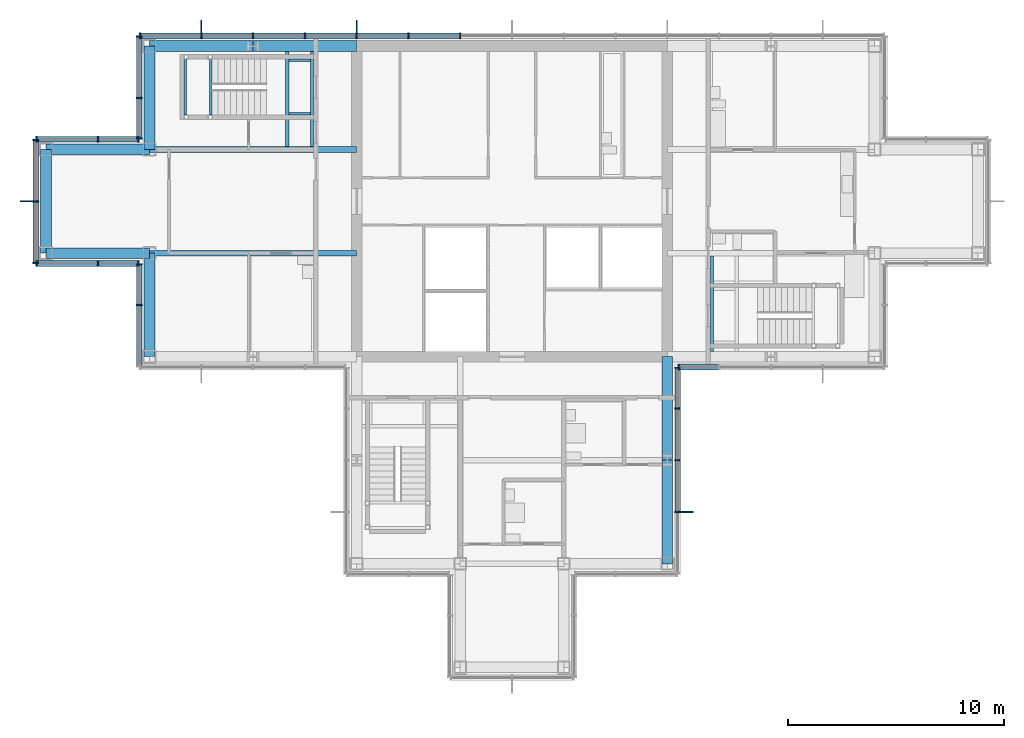
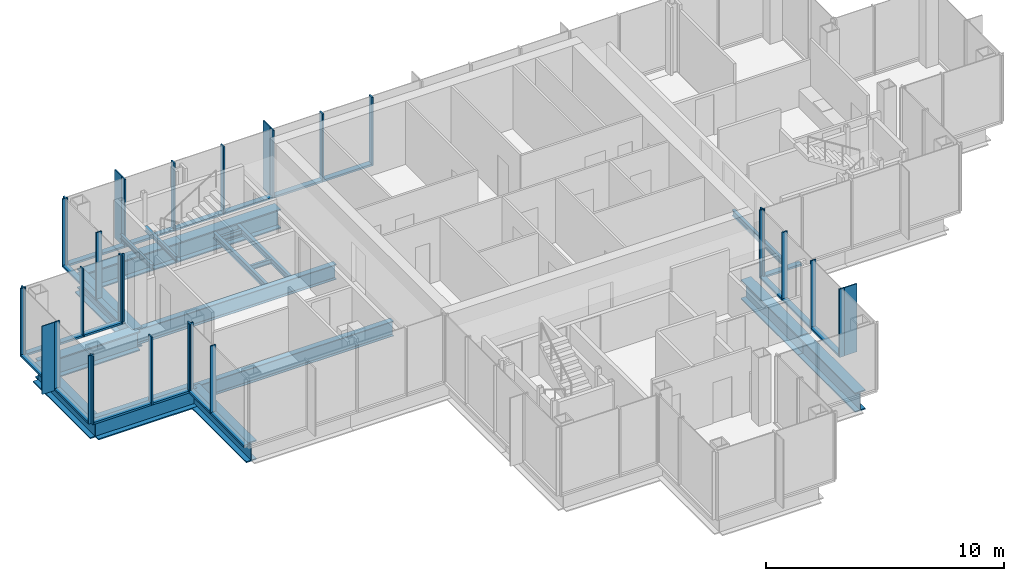
# One storey, part 6 of 15: 50 members, 18 beams, 8 elements without a shape of their own.
"""IFC4 building model written with IfcOpenShell, lengths in metres."""

from ifc_helpers import new_model, si_unit, direction, frame, origin, origin_2d, place, context, subcontext, project, spatial, rectangle, i_section, extrude, material, material_profile, profile_set, type_object, element, aggregate, save


model = new_model("IFC4")

# Units and contexts
model_context = context("Model", 3, precision=1e-05, world=origin(), true_north=direction((0.0, 1.0)))
body_context = subcontext(model_context, "Body", "Model", "MODEL_VIEW")
ifc_project = project(units=[si_unit("LENGTHUNIT", "METRE"), si_unit("AREAUNIT", "SQUARE_METRE"), si_unit("VOLUMEUNIT", "CUBIC_METRE"), si_unit("PLANEANGLEUNIT", "RADIAN"), si_unit("MASSUNIT", "GRAM", prefix="KILO")], contexts=[model_context])

# Site, building, storey
site_placement = place(None, origin())
site = spatial("IfcSite", under=ifc_project, at=site_placement, CompositionType="ELEMENT")
building_placement = place(site_placement, origin())
building = spatial("IfcBuilding", under=site, at=building_placement, Name="Kvirike Care Tower", CompositionType="ELEMENT")
storey_placement = place(building_placement, frame((0.0, 0.0, 240.0)))
storey = spatial("IfcBuildingStorey", under=building, at=storey_placement, Name="L66", CompositionType="ELEMENT", Elevation=240.0)

# Curtain wall, members
ifc_material_1 = material(Name="Anodised aluminium stick system", Category="aluminium")
curtain_wall_type = type_object("IfcCurtainWallType", Name="CW-D STICK CURTAIN WALL", PredefinedType="NOTDEFINED", material=ifc_material_1)
curtain_wall_1_placement = place(storey_placement, origin())
curtain_wall_1 = element("IfcCurtainWall", 1, at=curtain_wall_1_placement, inside=storey, type_object=curtain_wall_type, Name="Curtain wall L66 face 7", PredefinedType="NOTDEFINED")
ifc_material_2 = material(Name="Bronze anodised aluminium fin", Category="aluminium")
ifc_material_profile_1 = material_profile(ifc_material_2, rectangle(XDim=0.050048828125, YDim=0.60009765625, at=origin_2d()), Name="BRONZE FIN 600")
ifc_profile_set_1 = profile_set([ifc_material_profile_1], Name="Bronze anodised aluminium fin")
member_type_1 = type_object("IfcMemberType", Name="BRONZE FIN 600", PredefinedType="USERDEFINED", material=ifc_profile_set_1)
member_1_placement = place(storey_placement, frame((14.39990234375, 44.110107421875, 0.0), z_axis=(0.0, 0.0, 1.0), x_axis=(-1.0, 0.0, 0.0)))
member_1 = element("IfcMember", 2, at=member_1_placement, type_object=member_type_1, Name="Bronze fin L66 face 7.11", ObjectType="FIN", PredefinedType="USERDEFINED", context=body_context, shape_type="SweptSolid", body=[
    extrude(rectangle(XDim=0.050048828125, YDim=0.60009765625, at=origin_2d()), origin(), (0.0, 0.0, 1.0), 3.5),
])
member_2_placement = place(storey_placement, frame((7.199951171875, 44.110107421875, 0.0), z_axis=(0.0, 0.0, 1.0), x_axis=(-1.0, 0.0, 0.0)))
member_2 = element("IfcMember", 3, at=member_2_placement, type_object=member_type_1, Name="Bronze fin L66 face 7.14", ObjectType="FIN", PredefinedType="USERDEFINED", context=body_context, shape_type="SweptSolid", body=[
    extrude(rectangle(XDim=0.050048828125, YDim=0.60009765625, at=origin_2d()), origin(), (0.0, 0.0, 1.0), 3.5),
])

# Curtain wall, member
curtain_wall_2_placement = place(storey_placement, origin())
curtain_wall_2 = element("IfcCurtainWall", 4, at=curtain_wall_2_placement, inside=storey, type_object=curtain_wall_type, Name="Curtain wall L66 face 10", PredefinedType="NOTDEFINED")
member_3_placement = place(storey_placement, frame((-0.909912109375, 36.0, 0.0), z_axis=(0.0, 0.0, 1.0), x_axis=(0.0, -1.0, 0.0)))
member_3 = element("IfcMember", 5, at=member_3_placement, type_object=member_type_1, Name="Bronze fin L66 face 10.2", ObjectType="FIN", PredefinedType="USERDEFINED", context=body_context, shape_type="SweptSolid", body=[
    extrude(rectangle(XDim=0.050048828125, YDim=0.60009765625, at=origin_2d()), origin(), (0.0, 0.0, 1.0), 3.5),
])

curtain_wall_3_placement = place(storey_placement, origin())
curtain_wall_3 = element("IfcCurtainWall", 6, at=curtain_wall_3_placement, inside=storey, type_object=curtain_wall_type, Name="Curtain wall L66 face 20", PredefinedType="NOTDEFINED")
member_4_placement = place(storey_placement, frame((29.7099609375, 21.60009765625, 0.0), z_axis=(0.0, 0.0, 1.0), x_axis=(0.0, 1.0, 0.0)))
member_4 = element("IfcMember", 7, at=member_4_placement, type_object=member_type_1, Name="Bronze fin L66 face 20.2", ObjectType="FIN", PredefinedType="USERDEFINED", context=body_context, shape_type="SweptSolid", body=[
    extrude(rectangle(XDim=0.050048828125, YDim=0.60009765625, at=origin_2d()), origin(), (0.0, 0.0, 1.0), 3.5),
])

curtain_wall_4_placement = place(storey_placement, origin())
curtain_wall_4 = element("IfcCurtainWall", 8, at=curtain_wall_4_placement, inside=storey, type_object=curtain_wall_type, Name="Curtain wall L66 face 1", PredefinedType="NOTDEFINED")
ifc_material_3 = material(Name="Bronze anodised aluminium mullion", Category="aluminium")
ifc_material_profile_2 = material_profile(ifc_material_3, rectangle(XDim=0.06494140625, YDim=0.260009765625, at=origin_2d()), Name="CW-D MULLION 65x260")
ifc_profile_set_2 = profile_set([ifc_material_profile_2], Name="Bronze anodised aluminium mullion")
member_type_2 = type_object("IfcMemberType", Name="CW-D MULLION 65x260", PredefinedType="MULLION", material=ifc_profile_set_2)
member_5_placement = place(storey_placement, frame((29.3125, 28.320068359375, 0.0), z_axis=(0.0, 0.0, 1.0), x_axis=(1.0, 0.0, 0.0)))
member_5 = element("IfcMember", 9, at=member_5_placement, type_object=member_type_2, Name="CW-D mullion L66 face 1.1", PredefinedType="MULLION", context=body_context, shape_type="SweptSolid", body=[
    extrude(rectangle(XDim=0.06494140625, YDim=0.260009765625, at=origin_2d()), origin(), (0.0, 0.0, 1.0), 3.5),
])

# Member
member_6_placement = place(storey_placement, frame((19.199951171875, 43.679931640625, 0.0), z_axis=(0.0, 0.0, 1.0), x_axis=(-1.0, 0.0, 0.0)))
member_6 = element("IfcMember", 10, at=member_6_placement, type_object=member_type_2, Name="CW-D mullion L66 face 7.9", PredefinedType="MULLION", context=body_context, shape_type="SweptSolid", body=[
    extrude(rectangle(XDim=0.06494140625, YDim=0.260009765625, at=origin_2d()), origin(), (0.0, 0.0, 1.0), 3.5),
])

member_7_placement = place(storey_placement, frame((16.800048828125, 43.679931640625, 0.0), z_axis=(0.0, 0.0, 1.0), x_axis=(-1.0, 0.0, 0.0)))
member_7 = element("IfcMember", 11, at=member_7_placement, type_object=member_type_2, Name="CW-D mullion L66 face 7.10", PredefinedType="MULLION", context=body_context, shape_type="SweptSolid", body=[
    extrude(rectangle(XDim=0.06494140625, YDim=0.260009765625, at=origin_2d()), origin(), (0.0, 0.0, 1.0), 3.5),
])

member_8_placement = place(storey_placement, frame((14.39990234375, 43.679931640625, 0.0), z_axis=(0.0, 0.0, 1.0), x_axis=(-1.0, 0.0, 0.0)))
member_8 = element("IfcMember", 12, at=member_8_placement, type_object=member_type_2, Name="CW-D mullion L66 face 7.11", PredefinedType="MULLION", context=body_context, shape_type="SweptSolid", body=[
    extrude(rectangle(XDim=0.06494140625, YDim=0.260009765625, at=origin_2d()), origin(), (0.0, 0.0, 1.0), 3.5),
])

member_9_placement = place(storey_placement, frame((12.0, 43.679931640625, 0.0), z_axis=(0.0, 0.0, 1.0), x_axis=(-1.0, 0.0, 0.0)))
member_9 = element("IfcMember", 13, at=member_9_placement, type_object=member_type_2, Name="CW-D mullion L66 face 7.12", PredefinedType="MULLION", context=body_context, shape_type="SweptSolid", body=[
    extrude(rectangle(XDim=0.06494140625, YDim=0.260009765625, at=origin_2d()), origin(), (0.0, 0.0, 1.0), 3.5),
])

member_10_placement = place(storey_placement, frame((9.60009765625, 43.679931640625, 0.0), z_axis=(0.0, 0.0, 1.0), x_axis=(-1.0, 0.0, 0.0)))
member_10 = element("IfcMember", 14, at=member_10_placement, type_object=member_type_2, Name="CW-D mullion L66 face 7.13", PredefinedType="MULLION", context=body_context, shape_type="SweptSolid", body=[
    extrude(rectangle(XDim=0.06494140625, YDim=0.260009765625, at=origin_2d()), origin(), (0.0, 0.0, 1.0), 3.5),
])

member_11_placement = place(storey_placement, frame((7.199951171875, 43.679931640625, 0.0), z_axis=(0.0, 0.0, 1.0), x_axis=(-1.0, 0.0, 0.0)))
member_11 = element("IfcMember", 15, at=member_11_placement, type_object=member_type_2, Name="CW-D mullion L66 face 7.14", PredefinedType="MULLION", context=body_context, shape_type="SweptSolid", body=[
    extrude(rectangle(XDim=0.06494140625, YDim=0.260009765625, at=origin_2d()), origin(), (0.0, 0.0, 1.0), 3.5),
])

member_12_placement = place(storey_placement, frame((4.3525390625, 43.679931640625, 0.0), z_axis=(0.0, 0.0, 1.0), x_axis=(-1.0, 0.0, 0.0)))
member_12 = element("IfcMember", 16, at=member_12_placement, type_object=member_type_2, Name="CW-D mullion L66 face 7.15", PredefinedType="MULLION", context=body_context, shape_type="SweptSolid", body=[
    extrude(rectangle(XDim=0.06494140625, YDim=0.260009765625, at=origin_2d()), origin(), (0.0, 0.0, 1.0), 3.5),
])

# Curtain wall, members
curtain_wall_5_placement = place(storey_placement, origin())
curtain_wall_5 = element("IfcCurtainWall", 17, at=curtain_wall_5_placement, inside=storey, type_object=curtain_wall_type, Name="Curtain wall L66 face 8", PredefinedType="NOTDEFINED")
member_13_placement = place(storey_placement, frame((4.320068359375, 43.6474609375, 0.0), z_axis=(0.0, 0.0, 1.0), x_axis=(0.0, -1.0, 0.0)))
member_13 = element("IfcMember", 18, at=member_13_placement, type_object=member_type_2, Name="CW-D mullion L66 face 8.1", PredefinedType="MULLION", context=body_context, shape_type="SweptSolid", body=[
    extrude(rectangle(XDim=0.06494140625, YDim=0.260009765625, at=origin_2d()), origin(), (0.0, 0.0, 1.0), 3.5),
])
member_14_placement = place(storey_placement, frame((4.320068359375, 40.800048828125, 0.0), z_axis=(0.0, 0.0, 1.0), x_axis=(0.0, -1.0, 0.0)))
member_14 = element("IfcMember", 19, at=member_14_placement, type_object=member_type_2, Name="CW-D mullion L66 face 8.2", PredefinedType="MULLION", context=body_context, shape_type="SweptSolid", body=[
    extrude(rectangle(XDim=0.06494140625, YDim=0.260009765625, at=origin_2d()), origin(), (0.0, 0.0, 1.0), 3.5),
])
member_15_placement = place(storey_placement, frame((4.320068359375, 38.91259765625, 0.0), z_axis=(0.0, 0.0, 1.0), x_axis=(0.0, -1.0, 0.0)))
member_15 = element("IfcMember", 20, at=member_15_placement, type_object=member_type_2, Name="CW-D mullion L66 face 8.3", PredefinedType="MULLION", context=body_context, shape_type="SweptSolid", body=[
    extrude(rectangle(XDim=0.06494140625, YDim=0.260009765625, at=origin_2d()), origin(), (0.0, 0.0, 1.0), 3.5),
])

curtain_wall_6_placement = place(storey_placement, origin())
curtain_wall_6 = element("IfcCurtainWall", 21, at=curtain_wall_6_placement, inside=storey, type_object=curtain_wall_type, Name="Curtain wall L66 face 9", PredefinedType="NOTDEFINED")
member_16_placement = place(storey_placement, frame((4.28759765625, 38.8798828125, 0.0), z_axis=(0.0, 0.0, 1.0), x_axis=(-1.0, 0.0, 0.0)))
member_16 = element("IfcMember", 22, at=member_16_placement, type_object=member_type_2, Name="CW-D mullion L66 face 9.1", PredefinedType="MULLION", context=body_context, shape_type="SweptSolid", body=[
    extrude(rectangle(XDim=0.06494140625, YDim=0.260009765625, at=origin_2d()), origin(), (0.0, 0.0, 1.0), 3.5),
])
member_17_placement = place(storey_placement, frame((2.39990234375, 38.8798828125, 0.0), z_axis=(0.0, 0.0, 1.0), x_axis=(-1.0, 0.0, 0.0)))
member_17 = element("IfcMember", 23, at=member_17_placement, type_object=member_type_2, Name="CW-D mullion L66 face 9.2", PredefinedType="MULLION", context=body_context, shape_type="SweptSolid", body=[
    extrude(rectangle(XDim=0.06494140625, YDim=0.260009765625, at=origin_2d()), origin(), (0.0, 0.0, 1.0), 3.5),
])
member_18_placement = place(storey_placement, frame((-0.447509765625, 38.8798828125, 0.0), z_axis=(0.0, 0.0, 1.0), x_axis=(-1.0, 0.0, 0.0)))
member_18 = element("IfcMember", 24, at=member_18_placement, type_object=member_type_2, Name="CW-D mullion L66 face 9.3", PredefinedType="MULLION", context=body_context, shape_type="SweptSolid", body=[
    extrude(rectangle(XDim=0.06494140625, YDim=0.260009765625, at=origin_2d()), origin(), (0.0, 0.0, 1.0), 3.5),
])

# Member
member_19_placement = place(storey_placement, frame((-0.47998046875, 38.847412109375, 0.0), z_axis=(0.0, 0.0, 1.0), x_axis=(0.0, -1.0, 0.0)))
member_19 = element("IfcMember", 25, at=member_19_placement, type_object=member_type_2, Name="CW-D mullion L66 face 10.1", PredefinedType="MULLION", context=body_context, shape_type="SweptSolid", body=[
    extrude(rectangle(XDim=0.06494140625, YDim=0.260009765625, at=origin_2d()), origin(), (0.0, 0.0, 1.0), 3.5),
])

member_20_placement = place(storey_placement, frame((-0.47998046875, 36.0, 0.0), z_axis=(0.0, 0.0, 1.0), x_axis=(0.0, -1.0, 0.0)))
member_20 = element("IfcMember", 26, at=member_20_placement, type_object=member_type_2, Name="CW-D mullion L66 face 10.2", PredefinedType="MULLION", context=body_context, shape_type="SweptSolid", body=[
    extrude(rectangle(XDim=0.06494140625, YDim=0.260009765625, at=origin_2d()), origin(), (0.0, 0.0, 1.0), 3.5),
])

member_21_placement = place(storey_placement, frame((-0.47998046875, 33.152587890625, 0.0), z_axis=(0.0, 0.0, 1.0), x_axis=(0.0, -1.0, 0.0)))
member_21 = element("IfcMember", 27, at=member_21_placement, type_object=member_type_2, Name="CW-D mullion L66 face 10.3", PredefinedType="MULLION", context=body_context, shape_type="SweptSolid", body=[
    extrude(rectangle(XDim=0.06494140625, YDim=0.260009765625, at=origin_2d()), origin(), (0.0, 0.0, 1.0), 3.5),
])

# Curtain wall, members
curtain_wall_7_placement = place(storey_placement, origin())
curtain_wall_7 = element("IfcCurtainWall", 28, at=curtain_wall_7_placement, inside=storey, type_object=curtain_wall_type, Name="Curtain wall L66 face 11", PredefinedType="NOTDEFINED")
member_22_placement = place(storey_placement, frame((-0.447509765625, 33.1201171875, 0.0), z_axis=(0.0, 0.0, 1.0), x_axis=(1.0, 0.0, 0.0)))
member_22 = element("IfcMember", 29, at=member_22_placement, type_object=member_type_2, Name="CW-D mullion L66 face 11.1", PredefinedType="MULLION", context=body_context, shape_type="SweptSolid", body=[
    extrude(rectangle(XDim=0.06494140625, YDim=0.260009765625, at=origin_2d()), origin(), (0.0, 0.0, 1.0), 3.5),
])
member_23_placement = place(storey_placement, frame((2.39990234375, 33.1201171875, 0.0), z_axis=(0.0, 0.0, 1.0), x_axis=(1.0, 0.0, 0.0)))
member_23 = element("IfcMember", 30, at=member_23_placement, type_object=member_type_2, Name="CW-D mullion L66 face 11.2", PredefinedType="MULLION", context=body_context, shape_type="SweptSolid", body=[
    extrude(rectangle(XDim=0.06494140625, YDim=0.260009765625, at=origin_2d()), origin(), (0.0, 0.0, 1.0), 3.5),
])
member_24_placement = place(storey_placement, frame((4.28759765625, 33.1201171875, 0.0), z_axis=(0.0, 0.0, 1.0), x_axis=(1.0, 0.0, 0.0)))
member_24 = element("IfcMember", 31, at=member_24_placement, type_object=member_type_2, Name="CW-D mullion L66 face 11.3", PredefinedType="MULLION", context=body_context, shape_type="SweptSolid", body=[
    extrude(rectangle(XDim=0.06494140625, YDim=0.260009765625, at=origin_2d()), origin(), (0.0, 0.0, 1.0), 3.5),
])

curtain_wall_8_placement = place(storey_placement, origin())
curtain_wall_8 = element("IfcCurtainWall", 32, at=curtain_wall_8_placement, inside=storey, type_object=curtain_wall_type, Name="Curtain wall L66 face 12", PredefinedType="NOTDEFINED")
member_25_placement = place(storey_placement, frame((4.320068359375, 33.08740234375, 0.0), z_axis=(0.0, 0.0, 1.0), x_axis=(0.0, -1.0, 0.0)))
member_25 = element("IfcMember", 33, at=member_25_placement, type_object=member_type_2, Name="CW-D mullion L66 face 12.1", PredefinedType="MULLION", context=body_context, shape_type="SweptSolid", body=[
    extrude(rectangle(XDim=0.06494140625, YDim=0.260009765625, at=origin_2d()), origin(), (0.0, 0.0, 1.0), 3.5),
])
member_26_placement = place(storey_placement, frame((4.320068359375, 31.199951171875, 0.0), z_axis=(0.0, 0.0, 1.0), x_axis=(0.0, -1.0, 0.0)))
member_26 = element("IfcMember", 34, at=member_26_placement, type_object=member_type_2, Name="CW-D mullion L66 face 12.2", PredefinedType="MULLION", context=body_context, shape_type="SweptSolid", body=[
    extrude(rectangle(XDim=0.06494140625, YDim=0.260009765625, at=origin_2d()), origin(), (0.0, 0.0, 1.0), 3.5),
])

# Member
member_27_placement = place(storey_placement, frame((29.280029296875, 21.60009765625, 0.0), z_axis=(0.0, 0.0, 1.0), x_axis=(0.0, 1.0, 0.0)))
member_27 = element("IfcMember", 35, at=member_27_placement, type_object=member_type_2, Name="CW-D mullion L66 face 20.2", PredefinedType="MULLION", context=body_context, shape_type="SweptSolid", body=[
    extrude(rectangle(XDim=0.06494140625, YDim=0.260009765625, at=origin_2d()), origin(), (0.0, 0.0, 1.0), 3.5),
])

member_28_placement = place(storey_placement, frame((29.280029296875, 24.0, 0.0), z_axis=(0.0, 0.0, 1.0), x_axis=(0.0, 1.0, 0.0)))
member_28 = element("IfcMember", 36, at=member_28_placement, type_object=member_type_2, Name="CW-D mullion L66 face 20.3", PredefinedType="MULLION", context=body_context, shape_type="SweptSolid", body=[
    extrude(rectangle(XDim=0.06494140625, YDim=0.260009765625, at=origin_2d()), origin(), (0.0, 0.0, 1.0), 3.5),
])

member_29_placement = place(storey_placement, frame((29.280029296875, 26.39990234375, 0.0), z_axis=(0.0, 0.0, 1.0), x_axis=(0.0, 1.0, 0.0)))
member_29 = element("IfcMember", 37, at=member_29_placement, type_object=member_type_2, Name="CW-D mullion L66 face 20.4", PredefinedType="MULLION", context=body_context, shape_type="SweptSolid", body=[
    extrude(rectangle(XDim=0.06494140625, YDim=0.260009765625, at=origin_2d()), origin(), (0.0, 0.0, 1.0), 3.5),
])

member_30_placement = place(storey_placement, frame((29.280029296875, 28.28759765625, 0.0), z_axis=(0.0, 0.0, 1.0), x_axis=(0.0, 1.0, 0.0)))
member_30 = element("IfcMember", 38, at=member_30_placement, type_object=member_type_2, Name="CW-D mullion L66 face 20.5", PredefinedType="MULLION", context=body_context, shape_type="SweptSolid", body=[
    extrude(rectangle(XDim=0.06494140625, YDim=0.260009765625, at=origin_2d()), origin(), (0.0, 0.0, 1.0), 3.5),
])

ifc_material_4 = material(Name="Bronze anodised aluminium transom", Category="aluminium")
ifc_material_profile_3 = material_profile(ifc_material_4, rectangle(XDim=0.260009765625, YDim=0.10009765625, at=origin_2d()), Name="CW-D TRANSOM 260x100")
ifc_profile_set_3 = profile_set([ifc_material_profile_3], Name="Bronze anodised aluminium transom")
member_type_3 = type_object("IfcMemberType", Name="CW-D TRANSOM 260x100", PredefinedType="USERDEFINED", material=ifc_profile_set_3)
member_31_placement = place(storey_placement, frame((29.344970703125, 28.320068359375, 0.050048828125), z_axis=(1.0, 0.0, 0.0), x_axis=(0.0, 1.0, 0.0)))
member_31 = element("IfcMember", 39, at=member_31_placement, type_object=member_type_3, Name="CW-D sill transom L66 face 1.1", ObjectType="TRANSOM", PredefinedType="USERDEFINED", context=body_context, shape_type="SweptSolid", body=[
    extrude(rectangle(XDim=0.260009765625, YDim=0.10009765625, at=origin_2d()), origin(), (0.0, 0.0, 1.0), 1.822509765625),
])

aggregate(curtain_wall_4, [member_5, member_31])

member_32_placement = place(storey_placement, frame((19.16748046875, 43.679931640625, 0.050048828125), z_axis=(-1.0, 0.0, 0.0), x_axis=(0.0, -1.0, 0.0)))
member_32 = element("IfcMember", 40, at=member_32_placement, type_object=member_type_3, Name="CW-D sill transom L66 face 7.9", ObjectType="TRANSOM", PredefinedType="USERDEFINED", context=body_context, shape_type="SweptSolid", body=[
    extrude(rectangle(XDim=0.260009765625, YDim=0.10009765625, at=origin_2d()), origin(), (0.0, 0.0, 1.0), 2.3349609375),
])

member_33_placement = place(storey_placement, frame((16.767578125, 43.679931640625, 0.050048828125), z_axis=(-1.0, 0.0, 0.0), x_axis=(0.0, -1.0, 0.0)))
member_33 = element("IfcMember", 41, at=member_33_placement, type_object=member_type_3, Name="CW-D sill transom L66 face 7.10", ObjectType="TRANSOM", PredefinedType="USERDEFINED", context=body_context, shape_type="SweptSolid", body=[
    extrude(rectangle(XDim=0.260009765625, YDim=0.10009765625, at=origin_2d()), origin(), (0.0, 0.0, 1.0), 2.3349609375),
])

member_34_placement = place(storey_placement, frame((14.367431640625, 43.679931640625, 0.050048828125), z_axis=(-1.0, 0.0, 0.0), x_axis=(0.0, -1.0, 0.0)))
member_34 = element("IfcMember", 42, at=member_34_placement, type_object=member_type_3, Name="CW-D sill transom L66 face 7.11", ObjectType="TRANSOM", PredefinedType="USERDEFINED", context=body_context, shape_type="SweptSolid", body=[
    extrude(rectangle(XDim=0.260009765625, YDim=0.10009765625, at=origin_2d()), origin(), (0.0, 0.0, 1.0), 2.3349609375),
])

member_35_placement = place(storey_placement, frame((11.967529296875, 43.679931640625, 0.050048828125), z_axis=(-1.0, 0.0, 0.0), x_axis=(0.0, -1.0, 0.0)))
member_35 = element("IfcMember", 43, at=member_35_placement, type_object=member_type_3, Name="CW-D sill transom L66 face 7.12", ObjectType="TRANSOM", PredefinedType="USERDEFINED", context=body_context, shape_type="SweptSolid", body=[
    extrude(rectangle(XDim=0.260009765625, YDim=0.10009765625, at=origin_2d()), origin(), (0.0, 0.0, 1.0), 2.3349609375),
])

member_36_placement = place(storey_placement, frame((9.5673828125, 43.679931640625, 0.050048828125), z_axis=(-1.0, 0.0, 0.0), x_axis=(0.0, -1.0, 0.0)))
member_36 = element("IfcMember", 44, at=member_36_placement, type_object=member_type_3, Name="CW-D sill transom L66 face 7.13", ObjectType="TRANSOM", PredefinedType="USERDEFINED", context=body_context, shape_type="SweptSolid", body=[
    extrude(rectangle(XDim=0.260009765625, YDim=0.10009765625, at=origin_2d()), origin(), (0.0, 0.0, 1.0), 2.3349609375),
])

member_37_placement = place(storey_placement, frame((7.16748046875, 43.679931640625, 0.050048828125), z_axis=(-1.0, 0.0, 0.0), x_axis=(0.0, -1.0, 0.0)))
member_37 = element("IfcMember", 45, at=member_37_placement, type_object=member_type_3, Name="CW-D sill transom L66 face 7.14", ObjectType="TRANSOM", PredefinedType="USERDEFINED", context=body_context, shape_type="SweptSolid", body=[
    extrude(rectangle(XDim=0.260009765625, YDim=0.10009765625, at=origin_2d()), origin(), (0.0, 0.0, 1.0), 2.782470703125),
])

aggregate(curtain_wall_1, [member_6, member_7, member_8, member_1, member_9, member_10, member_11, member_2, member_12, member_32, member_33, member_34, member_35, member_36, member_37])

member_38_placement = place(storey_placement, frame((4.320068359375, 43.614990234375, 0.050048828125), z_axis=(0.0, -1.0, 0.0), x_axis=(1.0, 0.0, 0.0)))
member_38 = element("IfcMember", 46, at=member_38_placement, type_object=member_type_3, Name="CW-D sill transom L66 face 8.1", ObjectType="TRANSOM", PredefinedType="USERDEFINED", context=body_context, shape_type="SweptSolid", body=[
    extrude(rectangle(XDim=0.260009765625, YDim=0.10009765625, at=origin_2d()), origin(), (0.0, 0.0, 1.0), 2.782470703125),
])

member_39_placement = place(storey_placement, frame((4.320068359375, 40.767578125, 0.050048828125), z_axis=(0.0, -1.0, 0.0), x_axis=(1.0, 0.0, 0.0)))
member_39 = element("IfcMember", 47, at=member_39_placement, type_object=member_type_3, Name="CW-D sill transom L66 face 8.2", ObjectType="TRANSOM", PredefinedType="USERDEFINED", context=body_context, shape_type="SweptSolid", body=[
    extrude(rectangle(XDim=0.260009765625, YDim=0.10009765625, at=origin_2d()), origin(), (0.0, 0.0, 1.0), 1.822509765625),
])

aggregate(curtain_wall_5, [member_13, member_14, member_15, member_38, member_39])

member_40_placement = place(storey_placement, frame((4.2548828125, 38.8798828125, 0.050048828125), z_axis=(-1.0, 0.0, 0.0), x_axis=(0.0, -1.0, 0.0)))
member_40 = element("IfcMember", 48, at=member_40_placement, type_object=member_type_3, Name="CW-D sill transom L66 face 9.1", ObjectType="TRANSOM", PredefinedType="USERDEFINED", context=body_context, shape_type="SweptSolid", body=[
    extrude(rectangle(XDim=0.260009765625, YDim=0.10009765625, at=origin_2d()), origin(), (0.0, 0.0, 1.0), 1.822265625),
])

member_41_placement = place(storey_placement, frame((2.367431640625, 38.8798828125, 0.050048828125), z_axis=(-1.0, 0.0, 0.0), x_axis=(0.0, -1.0, 0.0)))
member_41 = element("IfcMember", 49, at=member_41_placement, type_object=member_type_3, Name="CW-D sill transom L66 face 9.2", ObjectType="TRANSOM", PredefinedType="USERDEFINED", context=body_context, shape_type="SweptSolid", body=[
    extrude(rectangle(XDim=0.260009765625, YDim=0.10009765625, at=origin_2d()), origin(), (0.0, 0.0, 1.0), 2.782470703125),
])

aggregate(curtain_wall_6, [member_16, member_17, member_18, member_40, member_41])

member_42_placement = place(storey_placement, frame((-0.47998046875, 38.81494140625, 0.050048828125), z_axis=(0.0, -1.0, 0.0), x_axis=(1.0, 0.0, 0.0)))
member_42 = element("IfcMember", 50, at=member_42_placement, type_object=member_type_3, Name="CW-D sill transom L66 face 10.1", ObjectType="TRANSOM", PredefinedType="USERDEFINED", context=body_context, shape_type="SweptSolid", body=[
    extrude(rectangle(XDim=0.260009765625, YDim=0.10009765625, at=origin_2d()), origin(), (0.0, 0.0, 1.0), 2.782470703125),
])

member_43_placement = place(storey_placement, frame((-0.47998046875, 35.967529296875, 0.050048828125), z_axis=(0.0, -1.0, 0.0), x_axis=(1.0, 0.0, 0.0)))
member_43 = element("IfcMember", 51, at=member_43_placement, type_object=member_type_3, Name="CW-D sill transom L66 face 10.2", ObjectType="TRANSOM", PredefinedType="USERDEFINED", context=body_context, shape_type="SweptSolid", body=[
    extrude(rectangle(XDim=0.260009765625, YDim=0.10009765625, at=origin_2d()), origin(), (0.0, 0.0, 1.0), 2.782470703125),
])

aggregate(curtain_wall_2, [member_19, member_20, member_3, member_21, member_42, member_43])

member_44_placement = place(storey_placement, frame((-0.4150390625, 33.1201171875, 0.050048828125), z_axis=(1.0, 0.0, 0.0), x_axis=(0.0, 1.0, 0.0)))
member_44 = element("IfcMember", 52, at=member_44_placement, type_object=member_type_3, Name="CW-D sill transom L66 face 11.1", ObjectType="TRANSOM", PredefinedType="USERDEFINED", context=body_context, shape_type="SweptSolid", body=[
    extrude(rectangle(XDim=0.260009765625, YDim=0.10009765625, at=origin_2d()), origin(), (0.0, 0.0, 1.0), 2.782470703125),
])

member_45_placement = place(storey_placement, frame((2.4326171875, 33.1201171875, 0.050048828125), z_axis=(1.0, 0.0, 0.0), x_axis=(0.0, 1.0, 0.0)))
member_45 = element("IfcMember", 53, at=member_45_placement, type_object=member_type_3, Name="CW-D sill transom L66 face 11.2", ObjectType="TRANSOM", PredefinedType="USERDEFINED", context=body_context, shape_type="SweptSolid", body=[
    extrude(rectangle(XDim=0.260009765625, YDim=0.10009765625, at=origin_2d()), origin(), (0.0, 0.0, 1.0), 1.822265625),
])

aggregate(curtain_wall_7, [member_22, member_23, member_24, member_44, member_45])

member_46_placement = place(storey_placement, frame((4.320068359375, 33.054931640625, 0.050048828125), z_axis=(0.0, -1.0, 0.0), x_axis=(1.0, 0.0, 0.0)))
member_46 = element("IfcMember", 54, at=member_46_placement, type_object=member_type_3, Name="CW-D sill transom L66 face 12.1", ObjectType="TRANSOM", PredefinedType="USERDEFINED", context=body_context, shape_type="SweptSolid", body=[
    extrude(rectangle(XDim=0.260009765625, YDim=0.10009765625, at=origin_2d()), origin(), (0.0, 0.0, 1.0), 1.822509765625),
])

member_47_placement = place(storey_placement, frame((4.320068359375, 31.16748046875, 0.050048828125), z_axis=(0.0, -1.0, 0.0), x_axis=(1.0, 0.0, 0.0)))
member_47 = element("IfcMember", 55, at=member_47_placement, type_object=member_type_3, Name="CW-D sill transom L66 face 12.2", ObjectType="TRANSOM", PredefinedType="USERDEFINED", context=body_context, shape_type="SweptSolid", body=[
    extrude(rectangle(XDim=0.260009765625, YDim=0.10009765625, at=origin_2d()), origin(), (0.0, 0.0, 1.0), 2.782470703125),
])

aggregate(curtain_wall_8, [member_25, member_26, member_46, member_47])

member_48_placement = place(storey_placement, frame((29.280029296875, 21.632568359375, 0.050048828125), z_axis=(0.0, 1.0, 0.0), x_axis=(-1.0, 0.0, 0.0)))
member_48 = element("IfcMember", 56, at=member_48_placement, type_object=member_type_3, Name="CW-D sill transom L66 face 20.2", ObjectType="TRANSOM", PredefinedType="USERDEFINED", context=body_context, shape_type="SweptSolid", body=[
    extrude(rectangle(XDim=0.260009765625, YDim=0.10009765625, at=origin_2d()), origin(), (0.0, 0.0, 1.0), 2.3349609375),
])

member_49_placement = place(storey_placement, frame((29.280029296875, 24.032470703125, 0.050048828125), z_axis=(0.0, 1.0, 0.0), x_axis=(-1.0, 0.0, 0.0)))
member_49 = element("IfcMember", 57, at=member_49_placement, type_object=member_type_3, Name="CW-D sill transom L66 face 20.3", ObjectType="TRANSOM", PredefinedType="USERDEFINED", context=body_context, shape_type="SweptSolid", body=[
    extrude(rectangle(XDim=0.260009765625, YDim=0.10009765625, at=origin_2d()), origin(), (0.0, 0.0, 1.0), 2.3349609375),
])

member_50_placement = place(storey_placement, frame((29.280029296875, 26.4326171875, 0.050048828125), z_axis=(0.0, 1.0, 0.0), x_axis=(-1.0, 0.0, 0.0)))
member_50 = element("IfcMember", 58, at=member_50_placement, type_object=member_type_3, Name="CW-D sill transom L66 face 20.4", ObjectType="TRANSOM", PredefinedType="USERDEFINED", context=body_context, shape_type="SweptSolid", body=[
    extrude(rectangle(XDim=0.260009765625, YDim=0.10009765625, at=origin_2d()), origin(), (0.0, 0.0, 1.0), 1.822265625),
])

aggregate(curtain_wall_3, [member_27, member_4, member_28, member_29, member_30, member_48, member_49, member_50])

# Beams
ifc_material_5 = material(Name="Steel S355", Category="steel")
ifc_material_profile_4 = material_profile(ifc_material_5, i_section(OverallWidth=0.26806640625, OverallDepth=0.77001953125, WebThickness=0.015625, FlangeThickness=0.025390625, FilletRadius=0.01708984375, at=origin_2d()), Name="IPE 750x196")
ifc_profile_set_4 = profile_set([ifc_material_profile_4], Name="Steel S355")
beam_type_1 = type_object("IfcBeamType", Name="FLOOR BEAM IPE 750x196", PredefinedType="BEAM", material=ifc_profile_set_4)
for number, where, z_axis, x_axis, name in (
    (59, (4.800048828125, 33.60009765625, -0.554931640625), (1.0, 0.0, 0.0), (0.0, 1.0, 0.0), "Floor Beam H4-H6 L66"),
    (60, (4.800048828125, 38.39990234375, -0.554931640625), (1.0, 0.0, 0.0), (0.0, 1.0, 0.0), "Floor Beam J4-J6 L66"),
):
    element("IfcBeam", number, at=place(storey_placement, frame(where, z_axis=z_axis, x_axis=x_axis)), inside=storey, type_object=beam_type_1, Name=name, PredefinedType="BEAM", context=body_context, shape_type="SweptSolid", body=[
        extrude(i_section(OverallWidth=0.26806640625, OverallDepth=0.77001953125, WebThickness=0.015625, FlangeThickness=0.025390625, FilletRadius=0.01708984375, at=origin_2d()), origin(), (0.0, 0.0, 1.0), 9.599853515625),
    ])
ifc_material_6 = material(Name="Steel S355", Category="steel")
ifc_material_profile_5 = material_profile(ifc_material_6, i_section(OverallWidth=0.5, OverallDepth=1.0, WebThickness=0.030029296875, FlangeThickness=0.06005859375, at=origin_2d()), Name="PG 1000x500x30x60")
ifc_profile_set_5 = profile_set([ifc_material_profile_5], Name="Steel S355")
beam_type_2 = type_object("IfcBeamType", Name="SPANDREL PG 1000x500x30x60", PredefinedType="SPANDREL", material=ifc_profile_set_5)
for number, where, z_axis, x_axis, name in (
    (61, (0.0, 33.60009765625, -0.669921875), (1.0, 0.0, 0.0), (0.0, 1.0, 0.0), "Spandrel H3-H4 L66"),
    (62, (0.0, 38.39990234375, -0.669921875), (1.0, 0.0, 0.0), (0.0, 1.0, 0.0), "Spandrel J3-J4 L66"),
    (63, (4.800048828125, 43.199951171875, -0.669921875), (1.0, 0.0, 0.0), (0.0, 1.0, 0.0), "Spandrel K4-K5 L66"),
):
    element("IfcBeam", number, at=place(storey_placement, frame(where, z_axis=z_axis, x_axis=x_axis)), inside=storey, type_object=beam_type_2, Name=name, PredefinedType="SPANDREL", context=body_context, shape_type="SweptSolid", body=[
        extrude(i_section(OverallWidth=0.5, OverallDepth=1.0, WebThickness=0.030029296875, FlangeThickness=0.06005859375, at=origin_2d()), origin(), (0.0, 0.0, 1.0), 4.800048828125),
    ])
for number, where, z_axis, x_axis, name in (
    (64, (9.60009765625, 43.199951171875, -0.669921875), (1.0, 0.0, 0.0), (0.0, 1.0, 0.0), "Spandrel K5-K6 L66"),
    (65, (0.0, 33.60009765625, -0.669921875), (0.0, 1.0, 0.0), (-1.0, 0.0, 0.0), "Spandrel H3-J3 L66"),
):
    element("IfcBeam", number, at=place(storey_placement, frame(where, z_axis=z_axis, x_axis=x_axis)), inside=storey, type_object=beam_type_2, Name=name, PredefinedType="SPANDREL", context=body_context, shape_type="SweptSolid", body=[
        extrude(i_section(OverallWidth=0.5, OverallDepth=1.0, WebThickness=0.030029296875, FlangeThickness=0.06005859375, at=origin_2d()), origin(), (0.0, 0.0, 1.0), 4.7998046875),
    ])
for number, where, z_axis, x_axis, name in (
    (66, (4.800048828125, 28.800048828125, -0.669921875), (0.0, 1.0, 0.0), (-1.0, 0.0, 0.0), "Spandrel G4-H4 L66"),
    (67, (4.800048828125, 38.39990234375, -0.669921875), (0.0, 1.0, 0.0), (-1.0, 0.0, 0.0), "Spandrel J4-K4 L66"),
    (68, (28.800048828125, 19.199951171875, -0.669921875), (0.0, 1.0, 0.0), (-1.0, 0.0, 0.0), "Spandrel E9-F9 L66"),
    (69, (28.800048828125, 24.0, -0.669921875), (0.0, 1.0, 0.0), (-1.0, 0.0, 0.0), "Spandrel F9-G9 L66"),
):
    element("IfcBeam", number, at=place(storey_placement, frame(where, z_axis=z_axis, x_axis=x_axis)), inside=storey, type_object=beam_type_2, Name=name, PredefinedType="SPANDREL", context=body_context, shape_type="SweptSolid", body=[
        extrude(i_section(OverallWidth=0.5, OverallDepth=1.0, WebThickness=0.030029296875, FlangeThickness=0.06005859375, at=origin_2d()), origin(), (0.0, 0.0, 1.0), 4.800048828125),
    ])
ifc_material_7 = material(Name="Steel S355", Category="steel")
ifc_material_profile_6 = material_profile(ifc_material_7, i_section(OverallWidth=0.1201171875, OverallDepth=0.239990234375, WebThickness=0.006103515625, FlangeThickness=0.009765625, FilletRadius=0.014892578125, at=origin_2d()), Name="IPE 240")
ifc_profile_set_6 = profile_set([ifc_material_profile_6], Name="Steel S355")
beam_type_3 = type_object("IfcBeamType", Name="STAIR LANDING BEAM IPE 240", PredefinedType="BEAM", material=ifc_profile_set_6)
for number, where, z_axis, x_axis, name in (
    (70, (6.4599609375, 42.60009765625, 1.429931640625), (0.0, -1.0, 0.0), (1.0, 0.0, 0.0), "Stair 1 landing beam back L66"),
    (71, (7.639892578125, 42.60009765625, 1.429931640625), (0.0, -1.0, 0.0), (1.0, 0.0, 0.0), "Stair 1 landing beam front L66"),
):
    element("IfcBeam", number, at=place(storey_placement, frame(where, z_axis=z_axis, x_axis=x_axis)), inside=storey, type_object=beam_type_3, Name=name, PredefinedType="BEAM", context=body_context, shape_type="SweptSolid", body=[
        extrude(i_section(OverallWidth=0.1201171875, OverallDepth=0.239990234375, WebThickness=0.006103515625, FlangeThickness=0.009765625, FilletRadius=0.014892578125, at=origin_2d()), origin(), (0.0, 0.0, 1.0), 2.60009765625),
    ])
for number, where, z_axis, x_axis, name in (
    (72, (11.25, 42.5400390625, -0.320068359375), (1.0, 0.0, 0.0), (0.0, 1.0, 0.0), "Stair 1 landing edge beam 1 L66"),
    (73, (11.25, 40.06005859375, -0.320068359375), (1.0, 0.0, 0.0), (0.0, 1.0, 0.0), "Stair 1 landing edge beam 2 L66"),
):
    element("IfcBeam", number, at=place(storey_placement, frame(where, z_axis=z_axis, x_axis=x_axis)), inside=storey, type_object=beam_type_3, Name=name, PredefinedType="BEAM", context=body_context, shape_type="SweptSolid", body=[
        extrude(i_section(OverallWidth=0.1201171875, OverallDepth=0.239990234375, WebThickness=0.006103515625, FlangeThickness=0.009765625, FilletRadius=0.014892578125, at=origin_2d()), origin(), (0.0, 0.0, 1.0), 1.0),
    ])
ifc_material_8 = material(Name="Steel S355", Category="steel")
ifc_material_profile_7 = material_profile(ifc_material_8, i_section(OverallWidth=0.14990234375, OverallDepth=0.300048828125, WebThickness=0.007080078125, FlangeThickness=0.0107421875, FilletRadius=0.014892578125, at=origin_2d()), Name="IPE 300")
ifc_profile_set_7 = profile_set([ifc_material_profile_7], Name="Steel S355")
beam_type_4 = type_object("IfcBeamType", Name="STAIR TRIMMER IPE 300", PredefinedType="BEAM", material=ifc_profile_set_7)
for number, where, z_axis, x_axis, name in (
    (74, (11.175048828125, 42.949951171875, -0.35009765625), (0.0, -1.0, 0.0), (1.0, 0.0, 0.0), "Stair 1 trimmer 1 L66"),
    (75, (12.324951171875, 42.949951171875, -0.35009765625), (0.0, -1.0, 0.0), (1.0, 0.0, 0.0), "Stair 1 trimmer 2 L66"),
    (76, (30.875, 29.050048828125, -0.35009765625), (0.0, 1.0, 0.0), (-1.0, 0.0, 0.0), "Stair 2 trimmer 2 L66"),
):
    element("IfcBeam", number, at=place(storey_placement, frame(where, z_axis=z_axis, x_axis=x_axis)), inside=storey, type_object=beam_type_4, Name=name, PredefinedType="BEAM", context=body_context, shape_type="SweptSolid", body=[
        extrude(i_section(OverallWidth=0.14990234375, OverallDepth=0.300048828125, WebThickness=0.007080078125, FlangeThickness=0.0107421875, FilletRadius=0.014892578125, at=origin_2d()), origin(), (0.0, 0.0, 1.0), 4.416015625),
    ])

save(model, "model.ifc")
